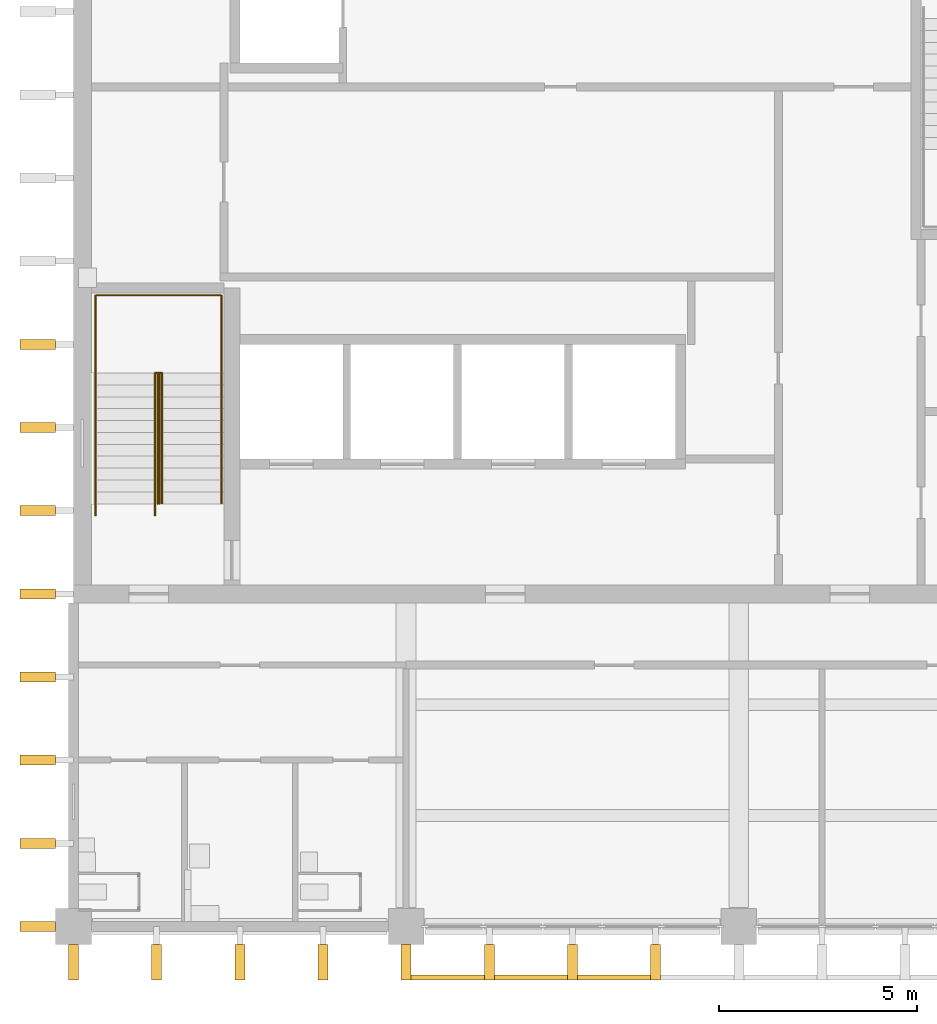
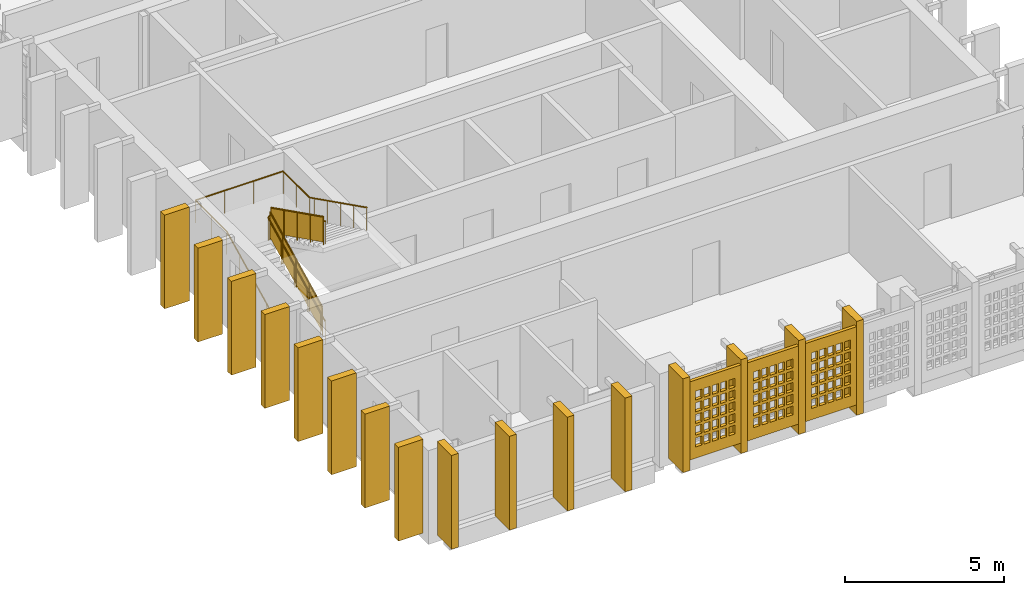
# One storey, part 8 of 13: 19 shading devices, 4 railings, 3 openings.
"""IFC4 building model written with IfcOpenShell, lengths in metres."""

import ifcopenshell
import ifcopenshell.guid

model = None  # the IFC model being written
_history = None  # IfcOwnerHistory: only IFC2X3 demands one
_inside = {}  # id of a spatial element -> (the spatial element, [elements in it])
_under = {}  # id of a project, library or spatial element -> (it, [spatial elements below it])
_declared = {}  # id of a project -> (the project, [libraries it declares])
_typed = {}  # id of a type object -> (the type object, [elements of that type])
_made_of = {}  # id of a material, layer set ... -> (it, [elements and type objects made of it])


def new_model(schema):
    """Start an empty IFC model of exactly this schema.

    Asked for "IFC4X3", IfcOpenShell would pick the latest addendum, in which some entities
    have other attributes; the version numbers below select the first issue.
    IFC2X3 requires an IfcOwnerHistory on every rooted entity: one is made here for all.
    """
    global model, _history
    if schema == "IFC4X3":
        model = ifcopenshell.file(schema_version=(4, 3, 0, 0))
    else:
        model = ifcopenshell.file(schema=schema)
    _inside.clear()
    _under.clear()
    _declared.clear()
    _typed.clear()
    _made_of.clear()
    _history = None
    if model.schema == "IFC2X3":
        org = make("IfcOrganization", Name="unknown")
        user = make(
            "IfcPersonAndOrganization",
            ThePerson=make("IfcPerson", FamilyName="unknown"),
            TheOrganization=org,
        )
        app = make(
            "IfcApplication",
            ApplicationDeveloper=org,
            Version="unknown",
            ApplicationFullName="unknown",
            ApplicationIdentifier="unknown",
        )
        _history = make(
            "IfcOwnerHistory",
            OwningUser=user,
            OwningApplication=app,
            ChangeAction="ADDED",
            CreationDate=0,
        )
    return model


def make(cls, **values):
    """One entity of the class cls with the attributes given. An attribute that is None is left unset."""
    return model.create_entity(
        cls, **{name: value for name, value in values.items() if value is not None}
    )


def rooted(cls, **values):
    """An entity with a GlobalId (a new one), such as an element, a storey or a relation."""
    return make(cls, GlobalId=ifcopenshell.guid.new(), OwnerHistory=_history, **values)


def si_unit(unit_type, name, prefix=None):
    """IfcSIUnit, for example si_unit("LENGTHUNIT", "METRE", prefix="MILLI")."""
    return make("IfcSIUnit", UnitType=unit_type, Prefix=prefix, Name=name)


def assignment(units):
    """IfcUnitAssignment: the units of a project."""
    return None if units is None else make("IfcUnitAssignment", Units=units)


def point(xyz):
    """IfcCartesianPoint."""
    return None if xyz is None else make("IfcCartesianPoint", Coordinates=xyz)


def direction(xyz):
    """IfcDirection."""
    return None if xyz is None else make("IfcDirection", DirectionRatios=xyz)


def frame(location, z_axis=None, x_axis=None):
    """IfcAxis2Placement3D, a coordinate frame: its origin and axes. An axis left out is left unset."""
    return make(
        "IfcAxis2Placement3D",
        Location=point(location),
        Axis=direction(z_axis),
        RefDirection=direction(x_axis),
    )


def frame_2d(location, x_axis=None):
    """IfcAxis2Placement2D, a coordinate frame in the plane: its origin and x axis."""
    return make(
        "IfcAxis2Placement2D", Location=point(location), RefDirection=direction(x_axis)
    )


def origin():
    """The frame at (0, 0, 0) with its axes left unset."""
    return frame((0.0, 0.0, 0.0))


def origin_2d():
    """The frame at (0, 0) in the plane with its x axis left unset."""
    return frame_2d((0.0, 0.0))


def place(relative_to, where):
    """IfcLocalPlacement: puts the frame where relative to a parent placement (None: the world)."""
    return make(
        "IfcLocalPlacement", PlacementRelTo=relative_to, RelativePlacement=where
    )


def context(
    kind, dimensions, precision=None, world=None, true_north=None, identifier=None
):
    """IfcGeometricRepresentationContext, for example the 3D "Model" context."""
    return make(
        "IfcGeometricRepresentationContext",
        ContextIdentifier=identifier,
        ContextType=kind,
        CoordinateSpaceDimension=dimensions,
        Precision=precision,
        WorldCoordinateSystem=world,
        TrueNorth=true_north,
    )


def subcontext(parent, identifier, kind, view, scale=None):
    """IfcGeometricRepresentationSubContext, for example "Body" below "Model"."""
    return make(
        "IfcGeometricRepresentationSubContext",
        ContextIdentifier=identifier,
        ContextType=kind,
        ParentContext=parent,
        TargetScale=scale,
        TargetView=view,
    )


def project(units=None, contexts=None):
    """IfcProject with its units and contexts."""
    return rooted(
        "IfcProject",
        Name="project",
        RepresentationContexts=contexts,
        UnitsInContext=assignment(units),
    )


def spatial(cls, under=None, at=None, **own):
    """A site, building, storey or space (cls), placed at a placement, below another one or the project."""
    s = rooted(cls, ObjectPlacement=at, **own)
    if under is not None:
        _under.setdefault(under.id(), (under, []))[1].append(s)
    return s


def polyline(points):
    """IfcPolyline through the points."""
    return make("IfcPolyline", Points=[point(p) for p in points])


def profile(cls, at=None, kind="AREA", **sizes):
    """A parametric profile (cls). Its sizes go by their IFC names, for example OverallWidth=200.0."""
    return make(cls, ProfileType=kind, Position=at, **sizes)


def rectangle(**sizes):
    """IfcRectangleProfileDef."""
    return profile("IfcRectangleProfileDef", **sizes)


def circle(**sizes):
    """IfcCircleProfileDef."""
    return profile("IfcCircleProfileDef", **sizes)


def outline(outer, holes=None, kind="AREA"):
    """IfcArbitraryClosedProfileDef: a profile drawn as a closed curve; with holes, ...WithVoids."""
    if holes is None:
        return make("IfcArbitraryClosedProfileDef", ProfileType=kind, OuterCurve=outer)
    return make(
        "IfcArbitraryProfileDefWithVoids",
        ProfileType=kind,
        OuterCurve=outer,
        InnerCurves=holes,
    )


def extrude(swept, where, along, depth):
    """IfcExtrudedAreaSolid: the profile swept, set in the frame where, extruded along a direction by depth."""
    return make(
        "IfcExtrudedAreaSolid",
        SweptArea=swept,
        Position=where,
        ExtrudedDirection=direction(along),
        Depth=depth,
    )


def shape(context_of_items, identifier, shape_type, items):
    """IfcShapeRepresentation: the items that make up one representation, for example the "Body"."""
    return make(
        "IfcShapeRepresentation",
        ContextOfItems=context_of_items,
        RepresentationIdentifier=identifier,
        RepresentationType=shape_type,
        Items=items,
    )


def material(Name=None, Category=None):
    """IfcMaterial."""
    return make("IfcMaterial", Name=Name, Category=Category)


def layer(
    of_material, thickness, ventilated=None, Name=None, Category=None, Priority=None
):
    """IfcMaterialLayer: one layer of a wall or slab, of a material (None: an air gap)."""
    return make(
        "IfcMaterialLayer",
        Material=of_material,
        LayerThickness=thickness,
        IsVentilated=ventilated,
        Name=Name,
        Category=Category,
        Priority=Priority,
    )


def layer_set(layers, Name=None):
    """IfcMaterialLayerSet."""
    return make("IfcMaterialLayerSet", MaterialLayers=layers, LayerSetName=Name)


def material_profile(
    of_material, cross_section, Name=None, Category=None, Priority=None
):
    """IfcMaterialProfile: a cross section and its material."""
    return make(
        "IfcMaterialProfile",
        Name=Name,
        Material=of_material,
        Profile=cross_section,
        Priority=Priority,
        Category=Category,
    )


def profile_set(profiles, Name=None, composite=None):
    """IfcMaterialProfileSet."""
    return make(
        "IfcMaterialProfileSet",
        Name=Name,
        MaterialProfiles=profiles,
        CompositeProfile=composite,
    )


def made_of(thing, what):
    """Note that an element or type object is made of a material, layer set ...; save() writes the relation."""
    if what is not None:
        _made_of.setdefault(what.id(), (what, []))[1].append(thing)
    return thing


def type_object(cls, material=None, **own):
    """A type object (cls), such as IfcWallType, which elements share."""
    return made_of(rooted(cls, **own), material)


def element(
    cls,
    number,
    at=None,
    inside=None,
    cuts=None,
    type_object=None,
    material=None,
    context=None,
    identifier="Body",
    shape_type=None,
    held_by="IfcProductDefinitionShape",
    body=None,
    shapes=None,
    **own,
):
    """One element of the class cls, such as IfcWall. Its Tag is "e" and its number.

    at: its placement. inside: the storey or other place that contains it. cuts: it is an
    opening in that element (IfcRelVoidsElement). A single representation is given by context,
    identifier, shape_type and body (its items); several are given by shapes. held_by: the class
    of the entity that holds the representations. save() writes the other relations.
    """
    e = rooted(cls, Tag="e%d" % number, ObjectPlacement=at, **own)
    if body is not None:
        shapes = [shape(context, identifier, shape_type, body)]
    if shapes is not None:
        e.Representation = make(held_by, Representations=shapes)
    if inside is not None:
        _inside.setdefault(inside.id(), (inside, []))[1].append(e)
    if cuts is not None:
        rooted(
            "IfcRelVoidsElement", RelatingBuildingElement=cuts, RelatedOpeningElement=e
        )
    if type_object is not None:
        _typed.setdefault(type_object.id(), (type_object, []))[1].append(e)
    return made_of(e, material)


def aggregate(whole, parts):
    """IfcRelAggregates: a whole, such as a stair, and the parts it consists of."""
    return rooted("IfcRelAggregates", RelatingObject=whole, RelatedObjects=parts)


def save(model, path):
    """Write the relations noted so far, then the file.

    IfcRelAggregates (storeys below a building ...), IfcRelContainedInSpatialStructure (elements
    in a storey), IfcRelDefinesByType, IfcRelAssociatesMaterial and IfcRelDeclares: one each for
    every whole, place, type object, material and project.
    """
    for whole, parts in _under.values():
        aggregate(whole, parts)
    for where, things in _inside.values():
        rooted(
            "IfcRelContainedInSpatialStructure",
            RelatedElements=things,
            RelatingStructure=where,
        )
    for kind, things in _typed.values():
        rooted("IfcRelDefinesByType", RelatedObjects=things, RelatingType=kind)
    for what, things in _made_of.values():
        rooted("IfcRelAssociatesMaterial", RelatedObjects=things, RelatingMaterial=what)
    for by, libraries in _declared.values():
        rooted("IfcRelDeclares", RelatingContext=by, RelatedDefinitions=libraries)
    model.write(path)


model = new_model("IFC4")

# Units and contexts
model_context = context("Model", 3, precision=1e-05, world=origin(), true_north=direction((0.0, 1.0)))
body_context = subcontext(model_context, "Body", "Model", "MODEL_VIEW")
ifc_project = project(units=[si_unit("LENGTHUNIT", "METRE"), si_unit("AREAUNIT", "SQUARE_METRE"), si_unit("VOLUMEUNIT", "CUBIC_METRE"), si_unit("PLANEANGLEUNIT", "RADIAN"), si_unit("MASSUNIT", "GRAM", prefix="KILO")], contexts=[model_context])

# Site, building, storey
site_placement = place(None, origin())
site = spatial("IfcSite", under=ifc_project, at=site_placement, CompositionType="ELEMENT")
building_placement = place(site_placement, origin())
building = spatial("IfcBuilding", under=site, at=building_placement, Name="Rulbaag Community and Learning Centre", CompositionType="ELEMENT")
storey_placement = place(building_placement, frame((0.0, 0.0, 25.199951171875)))
storey = spatial("IfcBuildingStorey", under=building, at=storey_placement, Name="L06", CompositionType="ELEMENT", Elevation=25.199951171875)

# Shading devices
ifc_material_1 = material(Name="Concrete M40", Category="concrete")
ifc_material_profile = material_profile(ifc_material_1, rectangle(XDim=0.25, YDim=0.89990234375, at=origin_2d()), Name="PC 250x900")
ifc_profile_set = profile_set([ifc_material_profile], Name="Concrete M40")
shading_device_type_1 = type_object("IfcShadingDeviceType", Name="FIN-H", PredefinedType="JALOUSIE", material=ifc_profile_set)
for number, where, z_axis, x_axis, name in (
    (1, (142.800048828125, 83.10009765625, 0.0), (0.0, 0.0, 1.0), (1.0, 0.0, 0.0), "Precast fin"),
    (2, (144.89990234375, 83.10009765625, 0.0), (0.0, 0.0, 1.0), (1.0, 0.0, 0.0), "Precast fin"),
    (3, (147.0, 83.10009765625, 0.0), (0.0, 0.0, 1.0), (1.0, 0.0, 0.0), "Precast fin"),
    (4, (149.10009765625, 83.10009765625, 0.0), (0.0, 0.0, 1.0), (1.0, 0.0, 0.0), "Precast fin"),
    (5, (151.199951171875, 83.10009765625, 0.0), (0.0, 0.0, 1.0), (1.0, 0.0, 0.0), "Precast fin"),
    (6, (153.300048828125, 83.10009765625, 0.0), (0.0, 0.0, 1.0), (1.0, 0.0, 0.0), "Precast fin"),
    (7, (155.39990234375, 83.10009765625, 0.0), (0.0, 0.0, 1.0), (1.0, 0.0, 0.0), "Precast fin"),
    (8, (157.5, 83.10009765625, 0.0), (0.0, 0.0, 1.0), (1.0, 0.0, 0.0), "Precast fin"),
    (9, (141.89990234375, 84.0, 0.0), (0.0, 0.0, 1.0), (0.0, 1.0, 0.0), "Precast fin"),
    (10, (141.89990234375, 86.10009765625, 0.0), (0.0, 0.0, 1.0), (0.0, 1.0, 0.0), "Precast fin"),
    (11, (141.89990234375, 88.199951171875, 0.0), (0.0, 0.0, 1.0), (0.0, 1.0, 0.0), "Precast fin"),
    (12, (141.89990234375, 90.300048828125, 0.0), (0.0, 0.0, 1.0), (0.0, 1.0, 0.0), "Precast fin"),
    (13, (141.89990234375, 92.39990234375, 0.0), (0.0, 0.0, 1.0), (0.0, 1.0, 0.0), "Precast fin"),
    (14, (141.89990234375, 94.5, 0.0), (0.0, 0.0, 1.0), (0.0, 1.0, 0.0), "Precast fin"),
    (15, (141.89990234375, 96.60009765625, 0.0), (0.0, 0.0, 1.0), (0.0, 1.0, 0.0), "Precast fin"),
    (16, (141.89990234375, 98.699951171875, 0.0), (0.0, 0.0, 1.0), (0.0, 1.0, 0.0), "Precast fin"),
):
    element("IfcShadingDevice", number, at=place(storey_placement, frame(where, z_axis=z_axis, x_axis=x_axis)), inside=storey, type_object=shading_device_type_1, Name=name, PredefinedType="JALOUSIE", context=body_context, shape_type="SweptSolid", body=[
        extrude(rectangle(XDim=0.25, YDim=0.89990234375, at=origin_2d()), origin(), (0.0, 0.0, 1.0), 3.60009765625),
    ])

# Railings
ifc_material_2 = material(Name="Galvanised mild steel", Category="steel")
railing_type_1 = type_object("IfcRailingType", Name="GR-1100 GUARD 1100", PredefinedType="GUARDRAIL", material=ifc_material_2)
railing_1_placement = place(storey_placement, frame((144.929931640625, 94.675048828125, 0.150146484375)))
element("IfcRailing", 17, at=railing_1_placement, inside=storey, type_object=railing_type_1, Name="Guard ST1 L06 G", PredefinedType="GUARDRAIL", context=body_context, shape_type="SweptSolid", body=[
    extrude(circle(Radius=0.02490234375, at=origin_2d()), frame((0.0, 0.0, 1.0751953125), z_axis=(0.0, 0.894440424912, 0.447187126696), x_axis=(-1.0, 0.0, 0.0)), (0.0, 0.0, 1.0), 3.689453125),
    extrude(circle(Radius=0.02001953125, at=origin_2d()), origin(), (0.0, 0.0, 1.0), 1.050048828125),
    extrude(circle(Radius=0.02001953125, at=origin_2d()), frame((0.0, 0.824951171875, 0.41259765625)), (0.0, 0.0, 1.0), 1.050048828125),
    extrude(circle(Radius=0.02001953125, at=origin_2d()), frame((0.0, 1.64990234375, 0.824951171875)), (0.0, 0.0, 1.0), 1.050048828125),
    extrude(circle(Radius=0.02001953125, at=origin_2d()), frame((0.0, 2.47509765625, 1.2373046875)), (0.0, 0.0, 1.0), 1.050048828125),
    extrude(circle(Radius=0.02001953125, at=origin_2d()), frame((0.0, 3.300048828125, 1.64990234375)), (0.0, 0.0, 1.0), 1.050048828125),
    extrude(outline(polyline([(0.0, 0.0), (3.300048828125, 1.64990234375), (3.300048828125, 2.599853515625), (0.0, 0.949951171875), (0.0, 0.0)])), frame((-0.0048828125, 0.0, 0.10009765625), z_axis=(1.0, 0.0, 0.0), x_axis=(0.0, 1.0, 0.0)), (0.0, 0.0, 1.0), 0.010009765625),
])
railing_2_placement = place(storey_placement, frame((144.969970703125, 97.97509765625, 1.949951171875)))
element("IfcRailing", 18, at=railing_2_placement, inside=storey, type_object=railing_type_1, Name="Guard ST1 L06 G2", PredefinedType="GUARDRAIL", context=body_context, shape_type="SweptSolid", body=[
    extrude(circle(Radius=0.02490234375, at=origin_2d()), frame((0.0, 0.0, 1.0751953125), z_axis=(0.0, -0.894413956696, 0.447240063129), x_axis=(1.0, 0.0, 0.0)), (0.0, 0.0, 1.0), 3.689697265625),
    extrude(circle(Radius=0.02001953125, at=origin_2d()), origin(), (0.0, 0.0, 1.0), 1.050048828125),
    extrude(circle(Radius=0.02001953125, at=origin_2d()), frame((0.0, -0.824951171875, 0.41259765625)), (0.0, 0.0, 1.0), 1.050048828125),
    extrude(circle(Radius=0.02001953125, at=origin_2d()), frame((0.0, -1.64990234375, 0.8251953125)), (0.0, 0.0, 1.0), 1.050048828125),
    extrude(circle(Radius=0.02001953125, at=origin_2d()), frame((0.0, -2.47509765625, 1.237548828125)), (0.0, 0.0, 1.0), 1.050048828125),
    extrude(circle(Radius=0.02001953125, at=origin_2d()), frame((0.0, -3.300048828125, 1.650146484375)), (0.0, 0.0, 1.0), 1.050048828125),
    extrude(outline(polyline([(0.0, 0.0), (3.300048828125, 1.650146484375), (3.300048828125, 2.60009765625), (0.0, 0.949951171875), (0.0, 0.0)])), frame((0.0048828125, 0.0, 0.10009765625), z_axis=(-1.0, 0.0, 0.0), x_axis=(0.0, -1.0, 0.0)), (0.0, 0.0, 1.0), 0.010009765625),
])
ifc_material_3 = material(Name="Stainless steel grade 316", Category="steel")
railing_type_2 = type_object("IfcRailingType", Name="HR-900 HANDRAIL 900", PredefinedType="HANDRAIL", material=ifc_material_3)
railing_3_placement = place(storey_placement, frame((143.360107421875, 94.375, 0.0)))
element("IfcRailing", 19, at=railing_3_placement, inside=storey, type_object=railing_type_2, Name="Handrail ST1 L06 O", PredefinedType="HANDRAIL", context=body_context, shape_type="SweptSolid", body=[
    extrude(circle(Radius=0.024169921875, at=origin_2d()), frame((0.0, 0.0, 0.875732421875), z_axis=(0.0, 0.894281613681, 0.447504631744), x_axis=(-1.0, 0.0, 0.0)), (0.0, 0.0, 1.0), 0.33544921875),
    extrude(circle(Radius=0.024169921875, at=origin_2d()), frame((0.0, 0.300048828125, 1.02587890625), z_axis=(0.0, 0.894440424912, 0.447187126696), x_axis=(-1.0, 0.0, 0.0)), (0.0, 0.0, 1.0), 3.689453125),
    extrude(circle(Radius=0.024169921875, at=origin_2d()), frame((0.0, 3.60009765625, 2.67578125), z_axis=(0.0, 1.0, 0.0), x_axis=(-1.0, 0.0, 0.0)), (0.0, 0.0, 1.0), 1.96484375),
    extrude(circle(Radius=0.024169921875, at=origin_2d()), frame((0.0, 5.56494140625, 2.67578125), z_axis=(1.0, 0.0, 0.0), x_axis=(0.0, 1.0, 0.0)), (0.0, 0.0, 1.0), 3.179931640625),
    extrude(circle(Radius=0.024169921875, at=origin_2d()), frame((3.179931640625, 5.56494140625, 2.67578125), z_axis=(0.0, -1.0, 0.0), x_axis=(1.0, 0.0, 0.0)), (0.0, 0.0, 1.0), 1.6650390625),
    extrude(circle(Radius=0.024169921875, at=origin_2d()), frame((3.179931640625, 3.89990234375, 2.67578125), z_axis=(0.0, -0.894427191, 0.4472135955), x_axis=(1.0, 0.0, 0.0)), (0.0, 0.0, 1.0), 0.335205078125),
    extrude(circle(Radius=0.024169921875, at=origin_2d()), frame((3.179931640625, 3.60009765625, 2.82568359375), z_axis=(0.0, -0.894413956696, 0.447240063129), x_axis=(1.0, 0.0, 0.0)), (0.0, 0.0, 1.0), 3.689697265625),
    extrude(circle(Radius=0.008056640625, at=origin_2d()), origin(), (0.0, 0.0, 1.0), 0.8515625),
    extrude(circle(Radius=0.008056640625, at=origin_2d()), frame((0.0, 0.300048828125, 0.150146484375)), (0.0, 0.0, 1.0), 0.8515625),
    extrude(circle(Radius=0.008056640625, at=origin_2d()), frame((0.0, 1.125, 0.5625)), (0.0, 0.0, 1.0), 0.8515625),
    extrude(circle(Radius=0.008056640625, at=origin_2d()), frame((0.0, 1.9501953125, 0.97509765625)), (0.0, 0.0, 1.0), 0.8515625),
    extrude(circle(Radius=0.008056640625, at=origin_2d()), frame((0.0, 2.775146484375, 1.3876953125)), (0.0, 0.0, 1.0), 0.8515625),
    extrude(circle(Radius=0.008056640625, at=origin_2d()), frame((0.0, 3.60009765625, 1.800048828125)), (0.0, 0.0, 1.0), 0.8515625),
    extrude(circle(Radius=0.008056640625, at=origin_2d()), frame((0.0, 4.58251953125, 1.800048828125)), (0.0, 0.0, 1.0), 0.8515625),
    extrude(circle(Radius=0.008056640625, at=origin_2d()), frame((0.0, 5.56494140625, 1.800048828125)), (0.0, 0.0, 1.0), 0.8515625),
    extrude(circle(Radius=0.008056640625, at=origin_2d()), frame((1.06005859375, 5.56494140625, 1.800048828125)), (0.0, 0.0, 1.0), 0.8515625),
    extrude(circle(Radius=0.008056640625, at=origin_2d()), frame((2.119873046875, 5.56494140625, 1.800048828125)), (0.0, 0.0, 1.0), 0.8515625),
    extrude(circle(Radius=0.008056640625, at=origin_2d()), frame((3.179931640625, 5.56494140625, 1.800048828125)), (0.0, 0.0, 1.0), 0.8515625),
    extrude(circle(Radius=0.008056640625, at=origin_2d()), frame((3.179931640625, 4.732421875, 1.800048828125)), (0.0, 0.0, 1.0), 0.8515625),
    extrude(circle(Radius=0.008056640625, at=origin_2d()), frame((3.179931640625, 3.89990234375, 1.800048828125)), (0.0, 0.0, 1.0), 0.8515625),
    extrude(circle(Radius=0.008056640625, at=origin_2d()), frame((3.179931640625, 3.60009765625, 1.949951171875)), (0.0, 0.0, 1.0), 0.8515625),
    extrude(circle(Radius=0.008056640625, at=origin_2d()), frame((3.179931640625, 2.775146484375, 2.362548828125)), (0.0, 0.0, 1.0), 0.8515625),
    extrude(circle(Radius=0.008056640625, at=origin_2d()), frame((3.179931640625, 1.9501953125, 2.77490234375)), (0.0, 0.0, 1.0), 0.8515625),
    extrude(circle(Radius=0.008056640625, at=origin_2d()), frame((3.179931640625, 1.125, 3.1875)), (0.0, 0.0, 1.0), 0.8515625),
    extrude(circle(Radius=0.008056640625, at=origin_2d()), frame((3.179931640625, 0.300048828125, 3.60009765625)), (0.0, 0.0, 1.0), 0.8515625),
])
railing_4_placement = place(storey_placement, frame((144.860107421875, 94.375, 0.0)))
element("IfcRailing", 20, at=railing_4_placement, inside=storey, type_object=railing_type_2, Name="Handrail ST1 L06 I", PredefinedType="HANDRAIL", context=body_context, shape_type="SweptSolid", body=[
    extrude(circle(Radius=0.024169921875, at=origin_2d()), frame((0.0, 0.0, 0.875732421875), z_axis=(0.0, 0.894281613681, 0.447504631744), x_axis=(-1.0, 0.0, 0.0)), (0.0, 0.0, 1.0), 0.33544921875),
    extrude(circle(Radius=0.024169921875, at=origin_2d()), frame((0.0, 0.300048828125, 1.02587890625), z_axis=(0.0, 0.894440424912, 0.447187126696), x_axis=(-1.0, 0.0, 0.0)), (0.0, 0.0, 1.0), 3.689453125),
    extrude(circle(Radius=0.024169921875, at=origin_2d()), frame((0.0, 3.60009765625, 2.67578125), z_axis=(0.768306721819, 0.0, 0.640081855084), x_axis=(0.0, 1.0, 0.0)), (0.0, 0.0, 1.0), 0.234130859375),
    extrude(circle(Radius=0.024169921875, at=origin_2d()), frame((0.179931640625, 3.60009765625, 2.82568359375), z_axis=(0.0, -0.894413956696, 0.447240063129), x_axis=(1.0, 0.0, 0.0)), (0.0, 0.0, 1.0), 3.689697265625),
    extrude(circle(Radius=0.008056640625, at=origin_2d()), origin(), (0.0, 0.0, 1.0), 0.8515625),
    extrude(circle(Radius=0.008056640625, at=origin_2d()), frame((0.0, 0.300048828125, 0.150146484375)), (0.0, 0.0, 1.0), 0.8515625),
    extrude(circle(Radius=0.008056640625, at=origin_2d()), frame((0.0, 1.125, 0.5625)), (0.0, 0.0, 1.0), 0.8515625),
    extrude(circle(Radius=0.008056640625, at=origin_2d()), frame((0.0, 1.9501953125, 0.97509765625)), (0.0, 0.0, 1.0), 0.8515625),
    extrude(circle(Radius=0.008056640625, at=origin_2d()), frame((0.0, 2.775146484375, 1.3876953125)), (0.0, 0.0, 1.0), 0.8515625),
    extrude(circle(Radius=0.008056640625, at=origin_2d()), frame((0.0, 3.60009765625, 1.800048828125)), (0.0, 0.0, 1.0), 0.8515625),
    extrude(circle(Radius=0.008056640625, at=origin_2d()), frame((0.179931640625, 3.60009765625, 1.949951171875)), (0.0, 0.0, 1.0), 0.8515625),
    extrude(circle(Radius=0.008056640625, at=origin_2d()), frame((0.179931640625, 2.775146484375, 2.362548828125)), (0.0, 0.0, 1.0), 0.8515625),
    extrude(circle(Radius=0.008056640625, at=origin_2d()), frame((0.179931640625, 1.9501953125, 2.77490234375)), (0.0, 0.0, 1.0), 0.8515625),
    extrude(circle(Radius=0.008056640625, at=origin_2d()), frame((0.179931640625, 1.125, 3.1875)), (0.0, 0.0, 1.0), 0.8515625),
    extrude(circle(Radius=0.008056640625, at=origin_2d()), frame((0.179931640625, 0.300048828125, 3.60009765625)), (0.0, 0.0, 1.0), 0.8515625),
])

# Shading device, opening
ifc_layer = layer(ifc_material_1, 0.1201171875)
ifc_layer_set = layer_set([ifc_layer], Name="JB-83")
shading_device_type_2 = type_object("IfcShadingDeviceType", Name="JB-83", PredefinedType="SHUTTER", material=ifc_layer_set)
shading_device_1_placement = place(storey_placement, frame((152.25, 82.7099609375, 0.400146484375), z_axis=(0.0, 0.0, 1.0), x_axis=(1.0, 0.0, 0.0)))
shading_device_1 = element("IfcShadingDevice", 21, at=shading_device_1_placement, inside=storey, type_object=shading_device_type_2, Name="Jaali screen", PredefinedType="SHUTTER", context=body_context, shape_type="SweptSolid", body=[
    extrude(rectangle(XDim=1.85009765625, YDim=0.1201171875, at=origin_2d()), origin(), (0.0, 0.0, 1.0), 3.0),
])
opening_1_placement = place(shading_device_1_placement, origin())
element("IfcOpeningElement", 22, at=opening_1_placement, cuts=shading_device_1, Name="Perforation JB1", PredefinedType="OPENING", context=body_context, shape_type="SweptSolid", body=[
    extrude(rectangle(XDim=0.22509765625, YDim=0.340087890625, at=origin_2d()), frame((-0.60009765625, -0.070068359375, 0.60009765625), z_axis=(0.0, 1.0, 0.0), x_axis=(1.0, 0.0, 0.0)), (0.0, 0.0, 1.0), 0.139892578125),
    extrude(rectangle(XDim=0.22509765625, YDim=0.340087890625, at=origin_2d()), frame((-0.300048828125, -0.070068359375, 0.60009765625), z_axis=(0.0, 1.0, 0.0), x_axis=(1.0, 0.0, 0.0)), (0.0, 0.0, 1.0), 0.139892578125),
    extrude(rectangle(XDim=0.22509765625, YDim=0.340087890625, at=origin_2d()), frame((0.0, -0.070068359375, 0.60009765625), z_axis=(0.0, 1.0, 0.0), x_axis=(1.0, 0.0, 0.0)), (0.0, 0.0, 1.0), 0.139892578125),
    extrude(rectangle(XDim=0.22509765625, YDim=0.340087890625, at=origin_2d()), frame((0.300048828125, -0.070068359375, 0.60009765625), z_axis=(0.0, 1.0, 0.0), x_axis=(1.0, 0.0, 0.0)), (0.0, 0.0, 1.0), 0.139892578125),
    extrude(rectangle(XDim=0.22509765625, YDim=0.340087890625, at=origin_2d()), frame((0.60009765625, -0.070068359375, 0.60009765625), z_axis=(0.0, 1.0, 0.0), x_axis=(1.0, 0.0, 0.0)), (0.0, 0.0, 1.0), 0.139892578125),
    extrude(rectangle(XDim=0.22509765625, YDim=0.340087890625, at=origin_2d()), frame((-0.60009765625, -0.070068359375, 1.050048828125), z_axis=(0.0, 1.0, 0.0), x_axis=(1.0, 0.0, 0.0)), (0.0, 0.0, 1.0), 0.139892578125),
    extrude(rectangle(XDim=0.22509765625, YDim=0.340087890625, at=origin_2d()), frame((-0.300048828125, -0.070068359375, 1.050048828125), z_axis=(0.0, 1.0, 0.0), x_axis=(1.0, 0.0, 0.0)), (0.0, 0.0, 1.0), 0.139892578125),
    extrude(rectangle(XDim=0.22509765625, YDim=0.340087890625, at=origin_2d()), frame((0.0, -0.070068359375, 1.050048828125), z_axis=(0.0, 1.0, 0.0), x_axis=(1.0, 0.0, 0.0)), (0.0, 0.0, 1.0), 0.139892578125),
    extrude(rectangle(XDim=0.22509765625, YDim=0.340087890625, at=origin_2d()), frame((0.300048828125, -0.070068359375, 1.050048828125), z_axis=(0.0, 1.0, 0.0), x_axis=(1.0, 0.0, 0.0)), (0.0, 0.0, 1.0), 0.139892578125),
    extrude(rectangle(XDim=0.22509765625, YDim=0.340087890625, at=origin_2d()), frame((0.60009765625, -0.070068359375, 1.050048828125), z_axis=(0.0, 1.0, 0.0), x_axis=(1.0, 0.0, 0.0)), (0.0, 0.0, 1.0), 0.139892578125),
    extrude(rectangle(XDim=0.22509765625, YDim=0.340087890625, at=origin_2d()), frame((-0.60009765625, -0.070068359375, 1.5), z_axis=(0.0, 1.0, 0.0), x_axis=(1.0, 0.0, 0.0)), (0.0, 0.0, 1.0), 0.139892578125),
    extrude(rectangle(XDim=0.22509765625, YDim=0.340087890625, at=origin_2d()), frame((-0.300048828125, -0.070068359375, 1.5), z_axis=(0.0, 1.0, 0.0), x_axis=(1.0, 0.0, 0.0)), (0.0, 0.0, 1.0), 0.139892578125),
    extrude(rectangle(XDim=0.22509765625, YDim=0.340087890625, at=origin_2d()), frame((0.0, -0.070068359375, 1.5), z_axis=(0.0, 1.0, 0.0), x_axis=(1.0, 0.0, 0.0)), (0.0, 0.0, 1.0), 0.139892578125),
    extrude(rectangle(XDim=0.22509765625, YDim=0.340087890625, at=origin_2d()), frame((0.300048828125, -0.070068359375, 1.5), z_axis=(0.0, 1.0, 0.0), x_axis=(1.0, 0.0, 0.0)), (0.0, 0.0, 1.0), 0.139892578125),
    extrude(rectangle(XDim=0.22509765625, YDim=0.340087890625, at=origin_2d()), frame((0.60009765625, -0.070068359375, 1.5), z_axis=(0.0, 1.0, 0.0), x_axis=(1.0, 0.0, 0.0)), (0.0, 0.0, 1.0), 0.139892578125),
    extrude(rectangle(XDim=0.22509765625, YDim=0.340087890625, at=origin_2d()), frame((-0.60009765625, -0.070068359375, 1.949951171875), z_axis=(0.0, 1.0, 0.0), x_axis=(1.0, 0.0, 0.0)), (0.0, 0.0, 1.0), 0.139892578125),
    extrude(rectangle(XDim=0.22509765625, YDim=0.340087890625, at=origin_2d()), frame((-0.300048828125, -0.070068359375, 1.949951171875), z_axis=(0.0, 1.0, 0.0), x_axis=(1.0, 0.0, 0.0)), (0.0, 0.0, 1.0), 0.139892578125),
    extrude(rectangle(XDim=0.22509765625, YDim=0.340087890625, at=origin_2d()), frame((0.0, -0.070068359375, 1.949951171875), z_axis=(0.0, 1.0, 0.0), x_axis=(1.0, 0.0, 0.0)), (0.0, 0.0, 1.0), 0.139892578125),
    extrude(rectangle(XDim=0.22509765625, YDim=0.340087890625, at=origin_2d()), frame((0.300048828125, -0.070068359375, 1.949951171875), z_axis=(0.0, 1.0, 0.0), x_axis=(1.0, 0.0, 0.0)), (0.0, 0.0, 1.0), 0.139892578125),
    extrude(rectangle(XDim=0.22509765625, YDim=0.340087890625, at=origin_2d()), frame((0.60009765625, -0.070068359375, 1.949951171875), z_axis=(0.0, 1.0, 0.0), x_axis=(1.0, 0.0, 0.0)), (0.0, 0.0, 1.0), 0.139892578125),
    extrude(rectangle(XDim=0.22509765625, YDim=0.340087890625, at=origin_2d()), frame((-0.60009765625, -0.070068359375, 2.39990234375), z_axis=(0.0, 1.0, 0.0), x_axis=(1.0, 0.0, 0.0)), (0.0, 0.0, 1.0), 0.139892578125),
    extrude(rectangle(XDim=0.22509765625, YDim=0.340087890625, at=origin_2d()), frame((-0.300048828125, -0.070068359375, 2.39990234375), z_axis=(0.0, 1.0, 0.0), x_axis=(1.0, 0.0, 0.0)), (0.0, 0.0, 1.0), 0.139892578125),
    extrude(rectangle(XDim=0.22509765625, YDim=0.340087890625, at=origin_2d()), frame((0.0, -0.070068359375, 2.39990234375), z_axis=(0.0, 1.0, 0.0), x_axis=(1.0, 0.0, 0.0)), (0.0, 0.0, 1.0), 0.139892578125),
    extrude(rectangle(XDim=0.22509765625, YDim=0.340087890625, at=origin_2d()), frame((0.300048828125, -0.070068359375, 2.39990234375), z_axis=(0.0, 1.0, 0.0), x_axis=(1.0, 0.0, 0.0)), (0.0, 0.0, 1.0), 0.139892578125),
    extrude(rectangle(XDim=0.22509765625, YDim=0.340087890625, at=origin_2d()), frame((0.60009765625, -0.070068359375, 2.39990234375), z_axis=(0.0, 1.0, 0.0), x_axis=(1.0, 0.0, 0.0)), (0.0, 0.0, 1.0), 0.139892578125),
])

shading_device_2_placement = place(storey_placement, frame((154.35009765625, 82.7099609375, 0.400146484375), z_axis=(0.0, 0.0, 1.0), x_axis=(1.0, 0.0, 0.0)))
shading_device_2 = element("IfcShadingDevice", 23, at=shading_device_2_placement, inside=storey, type_object=shading_device_type_2, Name="Jaali screen", PredefinedType="SHUTTER", context=body_context, shape_type="SweptSolid", body=[
    extrude(rectangle(XDim=1.85009765625, YDim=0.1201171875, at=origin_2d()), origin(), (0.0, 0.0, 1.0), 3.0),
])
opening_2_placement = place(shading_device_2_placement, origin())
element("IfcOpeningElement", 24, at=opening_2_placement, cuts=shading_device_2, Name="Perforation JB1", PredefinedType="OPENING", context=body_context, shape_type="SweptSolid", body=[
    extrude(rectangle(XDim=0.22509765625, YDim=0.340087890625, at=origin_2d()), frame((-0.60009765625, -0.070068359375, 0.60009765625), z_axis=(0.0, 1.0, 0.0), x_axis=(1.0, 0.0, 0.0)), (0.0, 0.0, 1.0), 0.139892578125),
    extrude(rectangle(XDim=0.22509765625, YDim=0.340087890625, at=origin_2d()), frame((-0.300048828125, -0.070068359375, 0.60009765625), z_axis=(0.0, 1.0, 0.0), x_axis=(1.0, 0.0, 0.0)), (0.0, 0.0, 1.0), 0.139892578125),
    extrude(rectangle(XDim=0.22509765625, YDim=0.340087890625, at=origin_2d()), frame((0.0, -0.070068359375, 0.60009765625), z_axis=(0.0, 1.0, 0.0), x_axis=(1.0, 0.0, 0.0)), (0.0, 0.0, 1.0), 0.139892578125),
    extrude(rectangle(XDim=0.22509765625, YDim=0.340087890625, at=origin_2d()), frame((0.300048828125, -0.070068359375, 0.60009765625), z_axis=(0.0, 1.0, 0.0), x_axis=(1.0, 0.0, 0.0)), (0.0, 0.0, 1.0), 0.139892578125),
    extrude(rectangle(XDim=0.22509765625, YDim=0.340087890625, at=origin_2d()), frame((0.60009765625, -0.070068359375, 0.60009765625), z_axis=(0.0, 1.0, 0.0), x_axis=(1.0, 0.0, 0.0)), (0.0, 0.0, 1.0), 0.139892578125),
    extrude(rectangle(XDim=0.22509765625, YDim=0.340087890625, at=origin_2d()), frame((-0.60009765625, -0.070068359375, 1.050048828125), z_axis=(0.0, 1.0, 0.0), x_axis=(1.0, 0.0, 0.0)), (0.0, 0.0, 1.0), 0.139892578125),
    extrude(rectangle(XDim=0.22509765625, YDim=0.340087890625, at=origin_2d()), frame((-0.300048828125, -0.070068359375, 1.050048828125), z_axis=(0.0, 1.0, 0.0), x_axis=(1.0, 0.0, 0.0)), (0.0, 0.0, 1.0), 0.139892578125),
    extrude(rectangle(XDim=0.22509765625, YDim=0.340087890625, at=origin_2d()), frame((0.0, -0.070068359375, 1.050048828125), z_axis=(0.0, 1.0, 0.0), x_axis=(1.0, 0.0, 0.0)), (0.0, 0.0, 1.0), 0.139892578125),
    extrude(rectangle(XDim=0.22509765625, YDim=0.340087890625, at=origin_2d()), frame((0.300048828125, -0.070068359375, 1.050048828125), z_axis=(0.0, 1.0, 0.0), x_axis=(1.0, 0.0, 0.0)), (0.0, 0.0, 1.0), 0.139892578125),
    extrude(rectangle(XDim=0.22509765625, YDim=0.340087890625, at=origin_2d()), frame((0.60009765625, -0.070068359375, 1.050048828125), z_axis=(0.0, 1.0, 0.0), x_axis=(1.0, 0.0, 0.0)), (0.0, 0.0, 1.0), 0.139892578125),
    extrude(rectangle(XDim=0.22509765625, YDim=0.340087890625, at=origin_2d()), frame((-0.60009765625, -0.070068359375, 1.5), z_axis=(0.0, 1.0, 0.0), x_axis=(1.0, 0.0, 0.0)), (0.0, 0.0, 1.0), 0.139892578125),
    extrude(rectangle(XDim=0.22509765625, YDim=0.340087890625, at=origin_2d()), frame((-0.300048828125, -0.070068359375, 1.5), z_axis=(0.0, 1.0, 0.0), x_axis=(1.0, 0.0, 0.0)), (0.0, 0.0, 1.0), 0.139892578125),
    extrude(rectangle(XDim=0.22509765625, YDim=0.340087890625, at=origin_2d()), frame((0.0, -0.070068359375, 1.5), z_axis=(0.0, 1.0, 0.0), x_axis=(1.0, 0.0, 0.0)), (0.0, 0.0, 1.0), 0.139892578125),
    extrude(rectangle(XDim=0.22509765625, YDim=0.340087890625, at=origin_2d()), frame((0.300048828125, -0.070068359375, 1.5), z_axis=(0.0, 1.0, 0.0), x_axis=(1.0, 0.0, 0.0)), (0.0, 0.0, 1.0), 0.139892578125),
    extrude(rectangle(XDim=0.22509765625, YDim=0.340087890625, at=origin_2d()), frame((0.60009765625, -0.070068359375, 1.5), z_axis=(0.0, 1.0, 0.0), x_axis=(1.0, 0.0, 0.0)), (0.0, 0.0, 1.0), 0.139892578125),
    extrude(rectangle(XDim=0.22509765625, YDim=0.340087890625, at=origin_2d()), frame((-0.60009765625, -0.070068359375, 1.949951171875), z_axis=(0.0, 1.0, 0.0), x_axis=(1.0, 0.0, 0.0)), (0.0, 0.0, 1.0), 0.139892578125),
    extrude(rectangle(XDim=0.22509765625, YDim=0.340087890625, at=origin_2d()), frame((-0.300048828125, -0.070068359375, 1.949951171875), z_axis=(0.0, 1.0, 0.0), x_axis=(1.0, 0.0, 0.0)), (0.0, 0.0, 1.0), 0.139892578125),
    extrude(rectangle(XDim=0.22509765625, YDim=0.340087890625, at=origin_2d()), frame((0.0, -0.070068359375, 1.949951171875), z_axis=(0.0, 1.0, 0.0), x_axis=(1.0, 0.0, 0.0)), (0.0, 0.0, 1.0), 0.139892578125),
    extrude(rectangle(XDim=0.22509765625, YDim=0.340087890625, at=origin_2d()), frame((0.300048828125, -0.070068359375, 1.949951171875), z_axis=(0.0, 1.0, 0.0), x_axis=(1.0, 0.0, 0.0)), (0.0, 0.0, 1.0), 0.139892578125),
    extrude(rectangle(XDim=0.22509765625, YDim=0.340087890625, at=origin_2d()), frame((0.60009765625, -0.070068359375, 1.949951171875), z_axis=(0.0, 1.0, 0.0), x_axis=(1.0, 0.0, 0.0)), (0.0, 0.0, 1.0), 0.139892578125),
    extrude(rectangle(XDim=0.22509765625, YDim=0.340087890625, at=origin_2d()), frame((-0.60009765625, -0.070068359375, 2.39990234375), z_axis=(0.0, 1.0, 0.0), x_axis=(1.0, 0.0, 0.0)), (0.0, 0.0, 1.0), 0.139892578125),
    extrude(rectangle(XDim=0.22509765625, YDim=0.340087890625, at=origin_2d()), frame((-0.300048828125, -0.070068359375, 2.39990234375), z_axis=(0.0, 1.0, 0.0), x_axis=(1.0, 0.0, 0.0)), (0.0, 0.0, 1.0), 0.139892578125),
    extrude(rectangle(XDim=0.22509765625, YDim=0.340087890625, at=origin_2d()), frame((0.0, -0.070068359375, 2.39990234375), z_axis=(0.0, 1.0, 0.0), x_axis=(1.0, 0.0, 0.0)), (0.0, 0.0, 1.0), 0.139892578125),
    extrude(rectangle(XDim=0.22509765625, YDim=0.340087890625, at=origin_2d()), frame((0.300048828125, -0.070068359375, 2.39990234375), z_axis=(0.0, 1.0, 0.0), x_axis=(1.0, 0.0, 0.0)), (0.0, 0.0, 1.0), 0.139892578125),
    extrude(rectangle(XDim=0.22509765625, YDim=0.340087890625, at=origin_2d()), frame((0.60009765625, -0.070068359375, 2.39990234375), z_axis=(0.0, 1.0, 0.0), x_axis=(1.0, 0.0, 0.0)), (0.0, 0.0, 1.0), 0.139892578125),
])

shading_device_3_placement = place(storey_placement, frame((156.449951171875, 82.7099609375, 0.400146484375), z_axis=(0.0, 0.0, 1.0), x_axis=(1.0, 0.0, 0.0)))
shading_device_3 = element("IfcShadingDevice", 25, at=shading_device_3_placement, inside=storey, type_object=shading_device_type_2, Name="Jaali screen", PredefinedType="SHUTTER", context=body_context, shape_type="SweptSolid", body=[
    extrude(rectangle(XDim=1.85009765625, YDim=0.1201171875, at=origin_2d()), origin(), (0.0, 0.0, 1.0), 3.0),
])
opening_3_placement = place(shading_device_3_placement, origin())
element("IfcOpeningElement", 26, at=opening_3_placement, cuts=shading_device_3, Name="Perforation JB1", PredefinedType="OPENING", context=body_context, shape_type="SweptSolid", body=[
    extrude(rectangle(XDim=0.22509765625, YDim=0.340087890625, at=origin_2d()), frame((-0.60009765625, -0.070068359375, 0.60009765625), z_axis=(0.0, 1.0, 0.0), x_axis=(1.0, 0.0, 0.0)), (0.0, 0.0, 1.0), 0.139892578125),
    extrude(rectangle(XDim=0.22509765625, YDim=0.340087890625, at=origin_2d()), frame((-0.300048828125, -0.070068359375, 0.60009765625), z_axis=(0.0, 1.0, 0.0), x_axis=(1.0, 0.0, 0.0)), (0.0, 0.0, 1.0), 0.139892578125),
    extrude(rectangle(XDim=0.22509765625, YDim=0.340087890625, at=origin_2d()), frame((0.0, -0.070068359375, 0.60009765625), z_axis=(0.0, 1.0, 0.0), x_axis=(1.0, 0.0, 0.0)), (0.0, 0.0, 1.0), 0.139892578125),
    extrude(rectangle(XDim=0.22509765625, YDim=0.340087890625, at=origin_2d()), frame((0.300048828125, -0.070068359375, 0.60009765625), z_axis=(0.0, 1.0, 0.0), x_axis=(1.0, 0.0, 0.0)), (0.0, 0.0, 1.0), 0.139892578125),
    extrude(rectangle(XDim=0.22509765625, YDim=0.340087890625, at=origin_2d()), frame((0.60009765625, -0.070068359375, 0.60009765625), z_axis=(0.0, 1.0, 0.0), x_axis=(1.0, 0.0, 0.0)), (0.0, 0.0, 1.0), 0.139892578125),
    extrude(rectangle(XDim=0.22509765625, YDim=0.340087890625, at=origin_2d()), frame((-0.60009765625, -0.070068359375, 1.050048828125), z_axis=(0.0, 1.0, 0.0), x_axis=(1.0, 0.0, 0.0)), (0.0, 0.0, 1.0), 0.139892578125),
    extrude(rectangle(XDim=0.22509765625, YDim=0.340087890625, at=origin_2d()), frame((-0.300048828125, -0.070068359375, 1.050048828125), z_axis=(0.0, 1.0, 0.0), x_axis=(1.0, 0.0, 0.0)), (0.0, 0.0, 1.0), 0.139892578125),
    extrude(rectangle(XDim=0.22509765625, YDim=0.340087890625, at=origin_2d()), frame((0.0, -0.070068359375, 1.050048828125), z_axis=(0.0, 1.0, 0.0), x_axis=(1.0, 0.0, 0.0)), (0.0, 0.0, 1.0), 0.139892578125),
    extrude(rectangle(XDim=0.22509765625, YDim=0.340087890625, at=origin_2d()), frame((0.300048828125, -0.070068359375, 1.050048828125), z_axis=(0.0, 1.0, 0.0), x_axis=(1.0, 0.0, 0.0)), (0.0, 0.0, 1.0), 0.139892578125),
    extrude(rectangle(XDim=0.22509765625, YDim=0.340087890625, at=origin_2d()), frame((0.60009765625, -0.070068359375, 1.050048828125), z_axis=(0.0, 1.0, 0.0), x_axis=(1.0, 0.0, 0.0)), (0.0, 0.0, 1.0), 0.139892578125),
    extrude(rectangle(XDim=0.22509765625, YDim=0.340087890625, at=origin_2d()), frame((-0.60009765625, -0.070068359375, 1.5), z_axis=(0.0, 1.0, 0.0), x_axis=(1.0, 0.0, 0.0)), (0.0, 0.0, 1.0), 0.139892578125),
    extrude(rectangle(XDim=0.22509765625, YDim=0.340087890625, at=origin_2d()), frame((-0.300048828125, -0.070068359375, 1.5), z_axis=(0.0, 1.0, 0.0), x_axis=(1.0, 0.0, 0.0)), (0.0, 0.0, 1.0), 0.139892578125),
    extrude(rectangle(XDim=0.22509765625, YDim=0.340087890625, at=origin_2d()), frame((0.0, -0.070068359375, 1.5), z_axis=(0.0, 1.0, 0.0), x_axis=(1.0, 0.0, 0.0)), (0.0, 0.0, 1.0), 0.139892578125),
    extrude(rectangle(XDim=0.22509765625, YDim=0.340087890625, at=origin_2d()), frame((0.300048828125, -0.070068359375, 1.5), z_axis=(0.0, 1.0, 0.0), x_axis=(1.0, 0.0, 0.0)), (0.0, 0.0, 1.0), 0.139892578125),
    extrude(rectangle(XDim=0.22509765625, YDim=0.340087890625, at=origin_2d()), frame((0.60009765625, -0.070068359375, 1.5), z_axis=(0.0, 1.0, 0.0), x_axis=(1.0, 0.0, 0.0)), (0.0, 0.0, 1.0), 0.139892578125),
    extrude(rectangle(XDim=0.22509765625, YDim=0.340087890625, at=origin_2d()), frame((-0.60009765625, -0.070068359375, 1.949951171875), z_axis=(0.0, 1.0, 0.0), x_axis=(1.0, 0.0, 0.0)), (0.0, 0.0, 1.0), 0.139892578125),
    extrude(rectangle(XDim=0.22509765625, YDim=0.340087890625, at=origin_2d()), frame((-0.300048828125, -0.070068359375, 1.949951171875), z_axis=(0.0, 1.0, 0.0), x_axis=(1.0, 0.0, 0.0)), (0.0, 0.0, 1.0), 0.139892578125),
    extrude(rectangle(XDim=0.22509765625, YDim=0.340087890625, at=origin_2d()), frame((0.0, -0.070068359375, 1.949951171875), z_axis=(0.0, 1.0, 0.0), x_axis=(1.0, 0.0, 0.0)), (0.0, 0.0, 1.0), 0.139892578125),
    extrude(rectangle(XDim=0.22509765625, YDim=0.340087890625, at=origin_2d()), frame((0.300048828125, -0.070068359375, 1.949951171875), z_axis=(0.0, 1.0, 0.0), x_axis=(1.0, 0.0, 0.0)), (0.0, 0.0, 1.0), 0.139892578125),
    extrude(rectangle(XDim=0.22509765625, YDim=0.340087890625, at=origin_2d()), frame((0.60009765625, -0.070068359375, 1.949951171875), z_axis=(0.0, 1.0, 0.0), x_axis=(1.0, 0.0, 0.0)), (0.0, 0.0, 1.0), 0.139892578125),
    extrude(rectangle(XDim=0.22509765625, YDim=0.340087890625, at=origin_2d()), frame((-0.60009765625, -0.070068359375, 2.39990234375), z_axis=(0.0, 1.0, 0.0), x_axis=(1.0, 0.0, 0.0)), (0.0, 0.0, 1.0), 0.139892578125),
    extrude(rectangle(XDim=0.22509765625, YDim=0.340087890625, at=origin_2d()), frame((-0.300048828125, -0.070068359375, 2.39990234375), z_axis=(0.0, 1.0, 0.0), x_axis=(1.0, 0.0, 0.0)), (0.0, 0.0, 1.0), 0.139892578125),
    extrude(rectangle(XDim=0.22509765625, YDim=0.340087890625, at=origin_2d()), frame((0.0, -0.070068359375, 2.39990234375), z_axis=(0.0, 1.0, 0.0), x_axis=(1.0, 0.0, 0.0)), (0.0, 0.0, 1.0), 0.139892578125),
    extrude(rectangle(XDim=0.22509765625, YDim=0.340087890625, at=origin_2d()), frame((0.300048828125, -0.070068359375, 2.39990234375), z_axis=(0.0, 1.0, 0.0), x_axis=(1.0, 0.0, 0.0)), (0.0, 0.0, 1.0), 0.139892578125),
    extrude(rectangle(XDim=0.22509765625, YDim=0.340087890625, at=origin_2d()), frame((0.60009765625, -0.070068359375, 2.39990234375), z_axis=(0.0, 1.0, 0.0), x_axis=(1.0, 0.0, 0.0)), (0.0, 0.0, 1.0), 0.139892578125),
])

save(model, "model.ifc")
